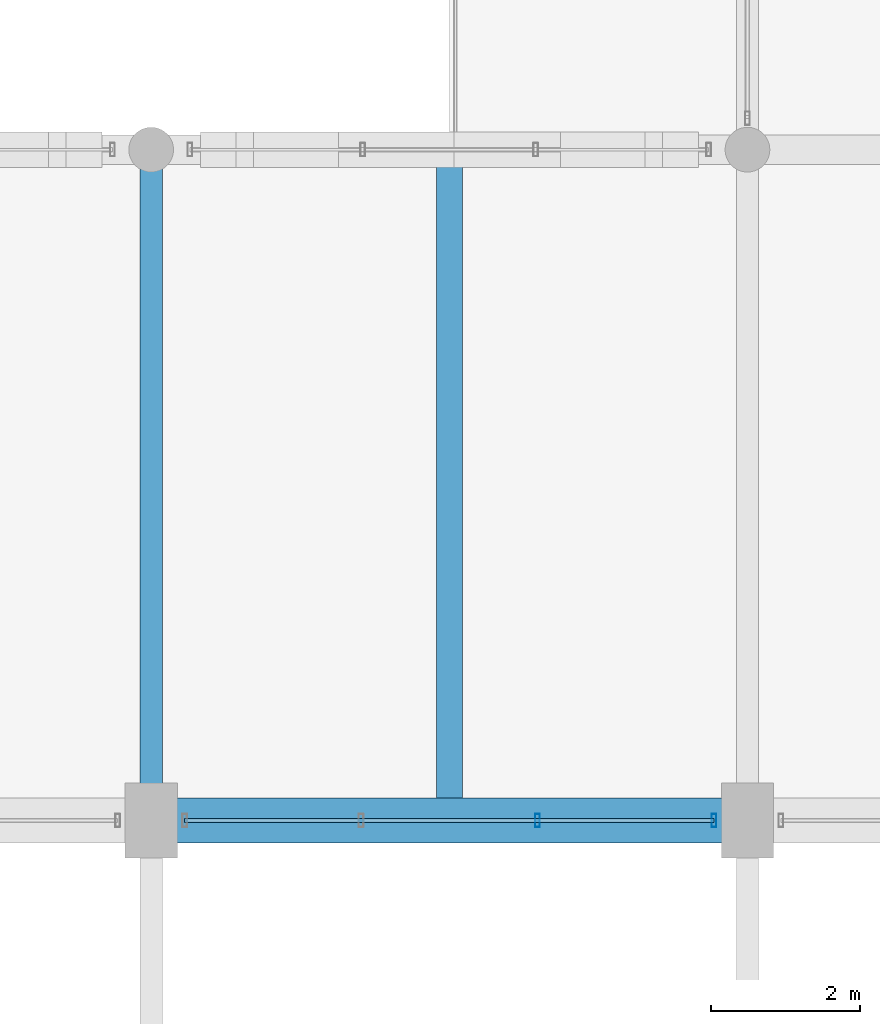
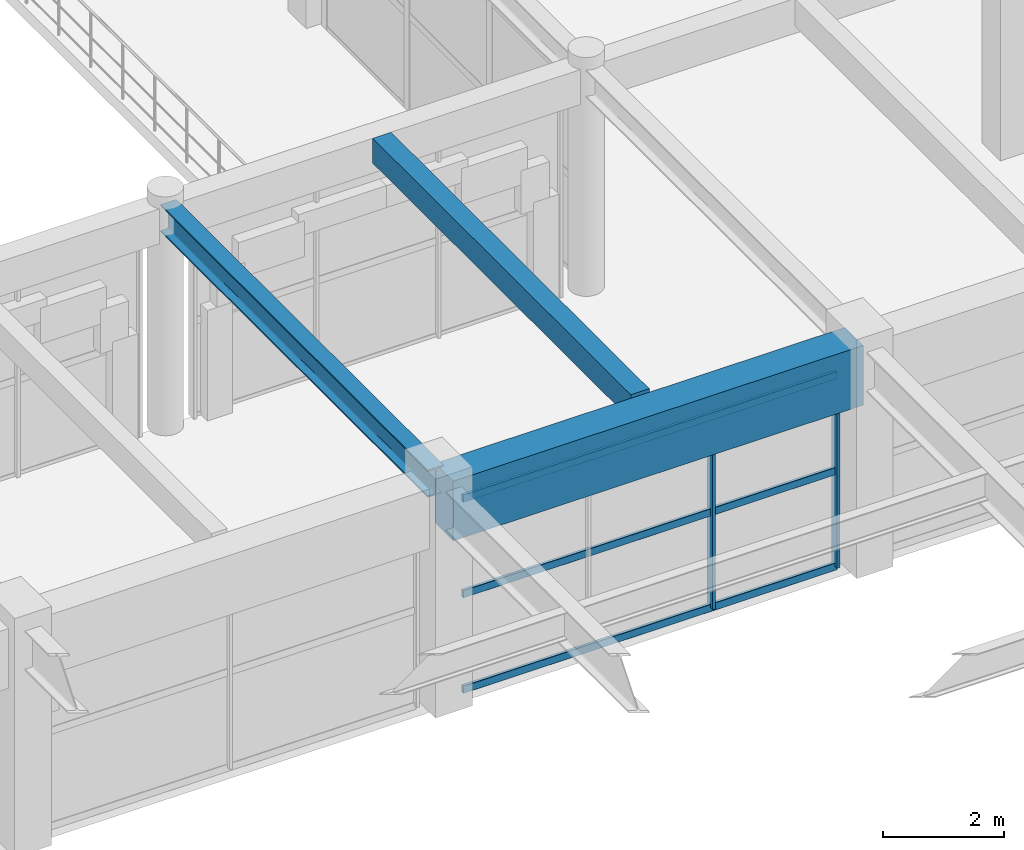
# One storey, part 54 of 144: 5 members, 3 beams, 1 element without a shape of its own.
"""IFC4 building model written with IfcOpenShell, lengths in metres."""

from ifc_helpers import new_model, si_unit, direction, frame, origin, origin_2d, place, context, subcontext, project, spatial, rectangle, hollow_rectangle, i_section, extrude, material, material_profile, profile_set, type_object, element, aggregate, save


model = new_model("IFC4")

# Units and contexts
model_context = context("Model", 3, precision=1e-05, world=origin(), true_north=direction((0.0, 1.0)))
body_context = subcontext(model_context, "Body", "Model", "MODEL_VIEW")
ifc_project = project(units=[si_unit("LENGTHUNIT", "METRE"), si_unit("AREAUNIT", "SQUARE_METRE"), si_unit("VOLUMEUNIT", "CUBIC_METRE"), si_unit("PLANEANGLEUNIT", "RADIAN"), si_unit("MASSUNIT", "GRAM", prefix="KILO")], contexts=[model_context])

# Site, building, storey
site_placement = place(None, origin())
site = spatial("IfcSite", under=ifc_project, at=site_placement, CompositionType="ELEMENT")
building_placement = place(site_placement, origin())
building = spatial("IfcBuilding", under=site, at=building_placement, Name="Varnabhumi Central Station", CompositionType="ELEMENT")
storey_placement = place(building_placement, frame((0.0, 0.0, 4.800048828125)))
storey = spatial("IfcBuildingStorey", under=building, at=storey_placement, Name="L01", CompositionType="ELEMENT", Elevation=4.800048828125)

# Beams
ifc_material_1 = material(Name="Concrete M50", Category="concrete")
ifc_material_profile_1 = material_profile(ifc_material_1, rectangle(XDim=0.60009765625, YDim=1.199951171875, at=origin_2d()), Name="Concrete M50", Category="concrete")
ifc_profile_set_1 = profile_set([ifc_material_profile_1], Name="Concrete M50")
beam_type_1 = type_object("IfcBeamType", Name="BM-RC-1200x600", PredefinedType="BEAM", material=ifc_profile_set_1)
beam_1_placement = place(storey_placement, frame((72.10009765625, 80.0, 3.8798828125), z_axis=(1.0, 0.0, 0.0), x_axis=(0.0, 1.0, 0.0)))
element("IfcBeam", 1, at=beam_1_placement, inside=storey, type_object=beam_type_1, Name="Beam L01-K:10-11", PredefinedType="BEAM", context=body_context, shape_type="SweptSolid", body=[
    extrude(rectangle(XDim=0.60009765625, YDim=1.199951171875, at=origin_2d()), origin(), (0.0, 0.0, 1.0), 7.7998046875),
])
ifc_material_2 = material(Name="Concrete M40", Category="concrete")
ifc_material_profile_2 = material_profile(ifc_material_2, rectangle(XDim=0.35009765625, YDim=0.5, at=origin_2d()), Name="Concrete M40", Category="concrete")
ifc_profile_set_2 = profile_set([ifc_material_profile_2], Name="Concrete M40")
beam_type_2 = type_object("IfcBeamType", Name="BM-RC-350x500", PredefinedType="JOIST", material=ifc_profile_set_2)
beam_2_placement = place(storey_placement, frame((76.0, 80.300048828125, 4.300048828125), z_axis=(0.0, 1.0, 0.0), x_axis=(-1.0, 0.0, 0.0)))
element("IfcBeam", 2, at=beam_2_placement, inside=storey, type_object=beam_type_2, Name="Secondary Joist L01-10/11:K-L", PredefinedType="JOIST", context=body_context, shape_type="SweptSolid", body=[
    extrude(rectangle(XDim=0.35009765625, YDim=0.5, at=origin_2d()), origin(), (0.0, 0.0, 1.0), 8.5),
])
ifc_material_3 = material(Name="Structural steel E350", Category="steel")
ifc_material_profile_3 = material_profile(ifc_material_3, i_section(OverallWidth=0.300048828125, OverallDepth=0.550048828125, WebThickness=0.014892578125, FlangeThickness=0.029052734375, FilletRadius=0.027099609375, at=origin_2d()), Name="Structural steel E350", Category="steel")
ifc_profile_set_3 = profile_set([ifc_material_profile_3], Name="Structural steel E350")
beam_type_3 = type_object("IfcBeamType", Name="BM-STL-WPB550", PredefinedType="BEAM", material=ifc_profile_set_3)
beam_3_placement = place(storey_placement, frame((72.0, 80.10009765625, 4.27490234375), z_axis=(0.0, 1.0, 0.0), x_axis=(-1.0, 0.0, 0.0)))
element("IfcBeam", 3, at=beam_3_placement, inside=storey, type_object=beam_type_3, Name="Beam L01-10:K-L", PredefinedType="BEAM", context=body_context, shape_type="SweptSolid", body=[
    extrude(i_section(OverallWidth=0.300048828125, OverallDepth=0.550048828125, WebThickness=0.014892578125, FlangeThickness=0.029052734375, FilletRadius=0.027099609375, at=origin_2d()), origin(), (0.0, 0.0, 1.0), 8.7998046875),
])

# Curtain wall, members
ifc_material_4 = material(Name="Anodised aluminium 6063-T6", Category="aluminium")
curtain_wall_type = type_object("IfcCurtainWallType", Name="CW-STREET-PORTAL", PredefinedType="NOTDEFINED", material=ifc_material_4)
curtain_wall_placement = place(storey_placement, origin())
curtain_wall = element("IfcCurtainWall", 4, at=curtain_wall_placement, inside=storey, type_object=curtain_wall_type, Name="Curtain Wall CW-NSP109", PredefinedType="NOTDEFINED")
ifc_material_profile_4 = material_profile(ifc_material_4, hollow_rectangle(XDim=0.06494140625, YDim=0.179931640625, WallThickness=0.00390625, InnerFilletRadius=0.001953125, OuterFilletRadius=0.006103515625, at=origin_2d()), Name="Anodised aluminium 6063-T6", Category="aluminium")
ifc_profile_set_4 = profile_set([ifc_material_profile_4], Name="Anodised aluminium 6063-T6")
member_type_1 = type_object("IfcMemberType", Name="CW-MUL-180", PredefinedType="MULLION", material=ifc_profile_set_4)
member_1_placement = place(storey_placement, frame((77.183349609375, 80.0, 0.0), z_axis=(0.0, 0.0, 1.0), x_axis=(1.0, 0.0, 0.0)))
member_1 = element("IfcMember", 5, at=member_1_placement, type_object=member_type_1, Name="Curtain Wall Mullion CW-NSP109-M3", PredefinedType="MULLION", context=body_context, shape_type="SweptSolid", body=[
    extrude(hollow_rectangle(XDim=0.06494140625, YDim=0.179931640625, WallThickness=0.00390625, InnerFilletRadius=0.001953125, OuterFilletRadius=0.006103515625, at=origin_2d()), origin(), (0.0, 0.0, 1.0), 3.83984375),
])
member_2_placement = place(storey_placement, frame((79.550048828125, 80.0, 0.0), z_axis=(0.0, 0.0, 1.0), x_axis=(1.0, 0.0, 0.0)))
member_2 = element("IfcMember", 6, at=member_2_placement, type_object=member_type_1, Name="Curtain Wall Mullion CW-NSP109-M4", PredefinedType="MULLION", context=body_context, shape_type="SweptSolid", body=[
    extrude(hollow_rectangle(XDim=0.06494140625, YDim=0.179931640625, WallThickness=0.00390625, InnerFilletRadius=0.001953125, OuterFilletRadius=0.006103515625, at=origin_2d()), origin(), (0.0, 0.0, 1.0), 3.83984375),
])
ifc_material_profile_5 = material_profile(ifc_material_4, hollow_rectangle(XDim=0.06005859375, YDim=0.14990234375, WallThickness=0.00390625, InnerFilletRadius=0.001953125, OuterFilletRadius=0.006103515625, at=origin_2d()), Name="Anodised aluminium 6063-T6", Category="aluminium")
ifc_profile_set_5 = profile_set([ifc_material_profile_5], Name="Anodised aluminium 6063-T6")
member_type_2 = type_object("IfcMemberType", Name="CW-TR-150", PredefinedType="USERDEFINED", material=ifc_profile_set_5)
member_3_placement = place(storey_placement, frame((72.449951171875, 80.0, 0.0), z_axis=(1.0, 0.0, 0.0), x_axis=(0.0, 1.0, 0.0)))
member_3 = element("IfcMember", 7, at=member_3_placement, type_object=member_type_2, Name="Curtain Wall Transom CW-NSP109-T1", ObjectType="TRANSOM", PredefinedType="USERDEFINED", context=body_context, shape_type="SweptSolid", body=[
    extrude(hollow_rectangle(XDim=0.06005859375, YDim=0.14990234375, WallThickness=0.00390625, InnerFilletRadius=0.001953125, OuterFilletRadius=0.006103515625, at=origin_2d()), origin(), (0.0, 0.0, 1.0), 7.10009765625),
])
member_4_placement = place(storey_placement, frame((72.449951171875, 80.0, 1.919921875), z_axis=(1.0, 0.0, 0.0), x_axis=(0.0, 1.0, 0.0)))
member_4 = element("IfcMember", 8, at=member_4_placement, type_object=member_type_2, Name="Curtain Wall Transom CW-NSP109-T2", ObjectType="TRANSOM", PredefinedType="USERDEFINED", context=body_context, shape_type="SweptSolid", body=[
    extrude(hollow_rectangle(XDim=0.06005859375, YDim=0.14990234375, WallThickness=0.00390625, InnerFilletRadius=0.001953125, OuterFilletRadius=0.006103515625, at=origin_2d()), origin(), (0.0, 0.0, 1.0), 7.10009765625),
])
member_5_placement = place(storey_placement, frame((72.449951171875, 80.0, 3.83984375), z_axis=(1.0, 0.0, 0.0), x_axis=(0.0, 1.0, 0.0)))
member_5 = element("IfcMember", 9, at=member_5_placement, type_object=member_type_2, Name="Curtain Wall Transom CW-NSP109-T3", ObjectType="TRANSOM", PredefinedType="USERDEFINED", context=body_context, shape_type="SweptSolid", body=[
    extrude(hollow_rectangle(XDim=0.06005859375, YDim=0.14990234375, WallThickness=0.00390625, InnerFilletRadius=0.001953125, OuterFilletRadius=0.006103515625, at=origin_2d()), origin(), (0.0, 0.0, 1.0), 7.10009765625),
])
aggregate(curtain_wall, [member_1, member_2, member_3, member_4, member_5])

save(model, "model.ifc")
